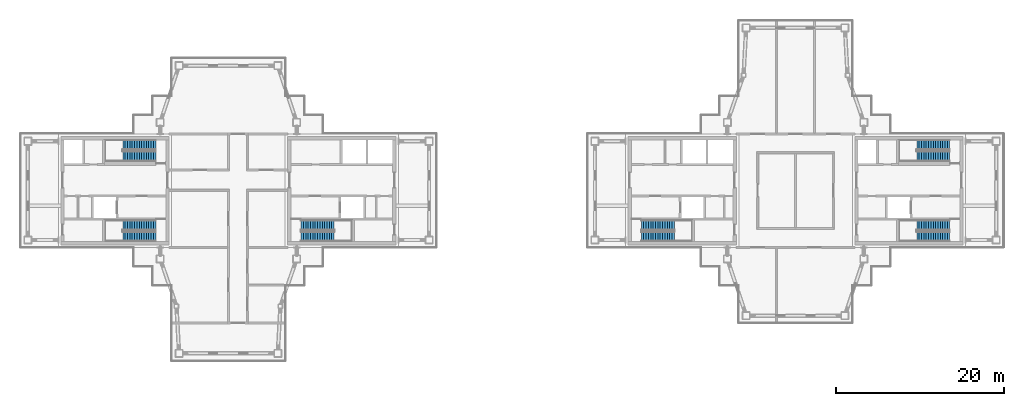
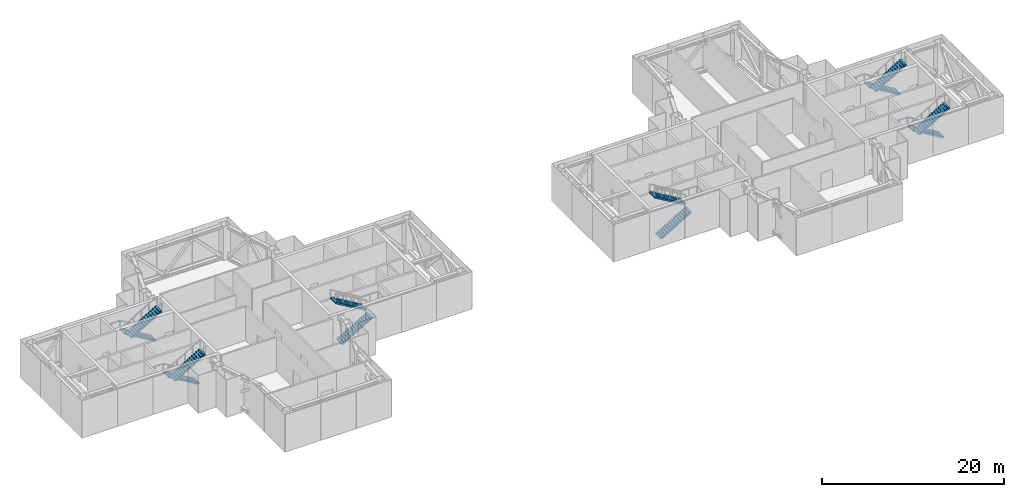
# One storey, part 10 of 18: 12 stair flights, 6 elements without a shape of their own.
"""IFC4 building model written with IfcOpenShell, lengths in metres."""

from ifc_helpers import new_model, si_unit, direction, frame, origin, place, context, subcontext, project, spatial, polyline, outline, extrude, material, type_object, element, aggregate, save


model = new_model("IFC4")

# Units and contexts
model_context = context("Model", 3, precision=1e-05, world=origin(), true_north=direction((0.0, 1.0)))
body_context = subcontext(model_context, "Body", "Model", "MODEL_VIEW")
ifc_project = project(units=[si_unit("LENGTHUNIT", "METRE"), si_unit("AREAUNIT", "SQUARE_METRE"), si_unit("VOLUMEUNIT", "CUBIC_METRE"), si_unit("PLANEANGLEUNIT", "RADIAN"), si_unit("MASSUNIT", "GRAM", prefix="KILO")], contexts=[model_context])

# Site, building, storey
site_placement = place(None, origin())
site = spatial("IfcSite", under=ifc_project, at=site_placement, CompositionType="ELEMENT")
building_placement = place(site_placement, origin())
building = spatial("IfcBuilding", under=site, at=building_placement, Name="Shamsa Quay Exchange Towers", CompositionType="ELEMENT")
storey_placement = place(building_placement, frame((0.0, 0.0, 273.300048828125)))
storey = spatial("IfcBuildingStorey", under=building, at=storey_placement, Name="L66", CompositionType="ELEMENT", Elevation=273.300048828125)

# Stair, stair flights
ifc_material = material(Name="Concrete C40/50", Category="concrete")
stair_type = type_object("IfcStairType", Name="EXIT STAIR 30 RISERS 167 MM", PredefinedType="HALF_TURN_STAIR", material=ifc_material)
stair_1_placement = place(storey_placement, origin())
stair_1 = element("IfcStair", 1, at=stair_1_placement, inside=storey, type_object=stair_type, Name="L66 Exit stair ST1", PredefinedType="HALF_TURN_STAIR")
stair_flight_type = type_object("IfcStairFlightType", Name="EXIT STAIR FLIGHT 15 RISERS 167 MM", PredefinedType="STRAIGHT", material=ifc_material)
stair_flight_1_placement = place(storey_placement, frame((-25.10009765625, -5.449951171875, 0.0)))
stair_flight_1 = element("IfcStairFlight", 2, at=stair_flight_1_placement, type_object=stair_flight_type, Name="ST1 flight 1", NumberOfRisers=15, NumberOfTreads=14, PredefinedType="STRAIGHT", RiserHeight=0.166666667, TreadLength=0.28, context=body_context, shape_type="SweptSolid", body=[
    extrude(outline(polyline([(0.0, 0.0), (0.0, 0.166748046875), (0.280029296875, 0.166748046875), (0.280029296875, 0.333251953125), (0.56005859375, 0.333251953125), (0.56005859375, 0.5), (0.840087890625, 0.5), (0.840087890625, 0.666748046875), (1.1201171875, 0.666748046875), (1.1201171875, 0.833251953125), (1.39990234375, 0.833251953125), (1.39990234375, 1.0), (1.679931640625, 1.0), (1.679931640625, 1.166748046875), (1.9599609375, 1.166748046875), (1.9599609375, 1.333251953125), (2.239990234375, 1.333251953125), (2.239990234375, 1.5), (2.52001953125, 1.5), (2.52001953125, 1.666748046875), (2.800048828125, 1.666748046875), (2.800048828125, 1.833251953125), (3.080078125, 1.833251953125), (3.080078125, 2.0), (3.360107421875, 2.0), (3.360107421875, 2.166748046875), (3.639892578125, 2.166748046875), (3.639892578125, 2.333251953125), (3.919921875, 2.333251953125), (3.919921875, 2.5), (3.919921875, 2.170654296875), (0.2734375, 0.0), (0.0, 0.0)])), frame((0.0, 0.60009765625, 0.0), z_axis=(0.0, -1.0, 0.0), x_axis=(1.0, 0.0, 0.0)), (0.0, 0.0, 1.0), 1.199951171875),
])
stair_flight_2_placement = place(storey_placement, frame((-21.179931640625, -4.10009765625, 2.5), z_axis=(0.0, 0.0, 1.0), x_axis=(-1.0, 0.0, 0.0)))
stair_flight_2 = element("IfcStairFlight", 3, at=stair_flight_2_placement, type_object=stair_flight_type, Name="ST1 flight 2", NumberOfRisers=15, NumberOfTreads=14, PredefinedType="STRAIGHT", RiserHeight=0.166666667, TreadLength=0.28, context=body_context, shape_type="SweptSolid", body=[
    extrude(outline(polyline([(0.0, 0.0), (0.0, 0.166748046875), (0.280029296875, 0.166748046875), (0.280029296875, 0.333251953125), (0.56005859375, 0.333251953125), (0.56005859375, 0.5), (0.840087890625, 0.5), (0.840087890625, 0.666748046875), (1.1201171875, 0.666748046875), (1.1201171875, 0.833251953125), (1.39990234375, 0.833251953125), (1.39990234375, 1.0), (1.679931640625, 1.0), (1.679931640625, 1.166748046875), (1.9599609375, 1.166748046875), (1.9599609375, 1.333251953125), (2.239990234375, 1.333251953125), (2.239990234375, 1.5), (2.52001953125, 1.5), (2.52001953125, 1.666748046875), (2.800048828125, 1.666748046875), (2.800048828125, 1.833251953125), (3.080078125, 1.833251953125), (3.080078125, 2.0), (3.360107421875, 2.0), (3.360107421875, 2.166748046875), (3.639892578125, 2.166748046875), (3.639892578125, 2.333251953125), (3.919921875, 2.333251953125), (3.919921875, 2.5), (3.919921875, 2.170654296875), (0.2734375, 0.0), (0.0, 0.0)])), frame((0.0, 0.60009765625, 0.0), z_axis=(0.0, -1.0, 0.0), x_axis=(1.0, 0.0, 0.0)), (0.0, 0.0, 1.0), 1.199951171875),
])
aggregate(stair_1, [stair_flight_1, stair_flight_2])

stair_2_placement = place(storey_placement, origin())
stair_2 = element("IfcStair", 4, at=stair_2_placement, inside=storey, type_object=stair_type, Name="L66 Exit stair ST2", PredefinedType="HALF_TURN_STAIR")
stair_flight_3_placement = place(storey_placement, frame((-42.39990234375, -4.10009765625, 0.0), z_axis=(0.0, 0.0, 1.0), x_axis=(-1.0, 0.0, 0.0)))
stair_flight_3 = element("IfcStairFlight", 5, at=stair_flight_3_placement, type_object=stair_flight_type, Name="ST2 flight 1", NumberOfRisers=15, NumberOfTreads=14, PredefinedType="STRAIGHT", RiserHeight=0.166666667, TreadLength=0.28, context=body_context, shape_type="SweptSolid", body=[
    extrude(outline(polyline([(0.0, 0.0), (0.0, 0.166748046875), (0.280029296875, 0.166748046875), (0.280029296875, 0.333251953125), (0.56005859375, 0.333251953125), (0.56005859375, 0.5), (0.840087890625, 0.5), (0.840087890625, 0.666748046875), (1.1201171875, 0.666748046875), (1.1201171875, 0.833251953125), (1.39990234375, 0.833251953125), (1.39990234375, 1.0), (1.679931640625, 1.0), (1.679931640625, 1.166748046875), (1.9599609375, 1.166748046875), (1.9599609375, 1.333251953125), (2.239990234375, 1.333251953125), (2.239990234375, 1.5), (2.52001953125, 1.5), (2.52001953125, 1.666748046875), (2.800048828125, 1.666748046875), (2.800048828125, 1.833251953125), (3.080078125, 1.833251953125), (3.080078125, 2.0), (3.360107421875, 2.0), (3.360107421875, 2.166748046875), (3.639892578125, 2.166748046875), (3.639892578125, 2.333251953125), (3.919921875, 2.333251953125), (3.919921875, 2.5), (3.919921875, 2.170654296875), (0.2734375, 0.0), (0.0, 0.0)])), frame((0.0, 0.60009765625, 0.0), z_axis=(0.0, -1.0, 0.0), x_axis=(1.0, 0.0, 0.0)), (0.0, 0.0, 1.0), 1.199951171875),
])
stair_flight_4_placement = place(storey_placement, frame((-46.320068359375, -5.449951171875, 2.5)))
stair_flight_4 = element("IfcStairFlight", 6, at=stair_flight_4_placement, type_object=stair_flight_type, Name="ST2 flight 2", NumberOfRisers=15, NumberOfTreads=14, PredefinedType="STRAIGHT", RiserHeight=0.166666667, TreadLength=0.28, context=body_context, shape_type="SweptSolid", body=[
    extrude(outline(polyline([(0.0, 0.0), (0.0, 0.166748046875), (0.280029296875, 0.166748046875), (0.280029296875, 0.333251953125), (0.56005859375, 0.333251953125), (0.56005859375, 0.5), (0.840087890625, 0.5), (0.840087890625, 0.666748046875), (1.1201171875, 0.666748046875), (1.1201171875, 0.833251953125), (1.39990234375, 0.833251953125), (1.39990234375, 1.0), (1.679931640625, 1.0), (1.679931640625, 1.166748046875), (1.9599609375, 1.166748046875), (1.9599609375, 1.333251953125), (2.239990234375, 1.333251953125), (2.239990234375, 1.5), (2.52001953125, 1.5), (2.52001953125, 1.666748046875), (2.800048828125, 1.666748046875), (2.800048828125, 1.833251953125), (3.080078125, 1.833251953125), (3.080078125, 2.0), (3.360107421875, 2.0), (3.360107421875, 2.166748046875), (3.639892578125, 2.166748046875), (3.639892578125, 2.333251953125), (3.919921875, 2.333251953125), (3.919921875, 2.5), (3.919921875, 2.170654296875), (0.2734375, 0.0), (0.0, 0.0)])), frame((0.0, 0.60009765625, 0.0), z_axis=(0.0, -1.0, 0.0), x_axis=(1.0, 0.0, 0.0)), (0.0, 0.0, 1.0), 1.199951171875),
])
aggregate(stair_2, [stair_flight_3, stair_flight_4])

stair_3_placement = place(storey_placement, origin())
stair_3 = element("IfcStair", 7, at=stair_3_placement, inside=storey, type_object=stair_type, Name="L66 Exit stair ST3", PredefinedType="HALF_TURN_STAIR")
stair_flight_5_placement = place(storey_placement, frame((-42.39990234375, 5.449951171875, 0.0), z_axis=(0.0, 0.0, 1.0), x_axis=(-1.0, 0.0, 0.0)))
stair_flight_5 = element("IfcStairFlight", 8, at=stair_flight_5_placement, type_object=stair_flight_type, Name="ST3 flight 1", NumberOfRisers=15, NumberOfTreads=14, PredefinedType="STRAIGHT", RiserHeight=0.166666667, TreadLength=0.28, context=body_context, shape_type="SweptSolid", body=[
    extrude(outline(polyline([(0.0, 0.0), (0.0, 0.166748046875), (0.280029296875, 0.166748046875), (0.280029296875, 0.333251953125), (0.56005859375, 0.333251953125), (0.56005859375, 0.5), (0.840087890625, 0.5), (0.840087890625, 0.666748046875), (1.1201171875, 0.666748046875), (1.1201171875, 0.833251953125), (1.39990234375, 0.833251953125), (1.39990234375, 1.0), (1.679931640625, 1.0), (1.679931640625, 1.166748046875), (1.9599609375, 1.166748046875), (1.9599609375, 1.333251953125), (2.239990234375, 1.333251953125), (2.239990234375, 1.5), (2.52001953125, 1.5), (2.52001953125, 1.666748046875), (2.800048828125, 1.666748046875), (2.800048828125, 1.833251953125), (3.080078125, 1.833251953125), (3.080078125, 2.0), (3.360107421875, 2.0), (3.360107421875, 2.166748046875), (3.639892578125, 2.166748046875), (3.639892578125, 2.333251953125), (3.919921875, 2.333251953125), (3.919921875, 2.5), (3.919921875, 2.170654296875), (0.2734375, 0.0), (0.0, 0.0)])), frame((0.0, 0.60009765625, 0.0), z_axis=(0.0, -1.0, 0.0), x_axis=(1.0, 0.0, 0.0)), (0.0, 0.0, 1.0), 1.199951171875),
])
stair_flight_6_placement = place(storey_placement, frame((-46.320068359375, 4.10009765625, 2.5)))
stair_flight_6 = element("IfcStairFlight", 9, at=stair_flight_6_placement, type_object=stair_flight_type, Name="ST3 flight 2", NumberOfRisers=15, NumberOfTreads=14, PredefinedType="STRAIGHT", RiserHeight=0.166666667, TreadLength=0.28, context=body_context, shape_type="SweptSolid", body=[
    extrude(outline(polyline([(0.0, 0.0), (0.0, 0.166748046875), (0.280029296875, 0.166748046875), (0.280029296875, 0.333251953125), (0.56005859375, 0.333251953125), (0.56005859375, 0.5), (0.840087890625, 0.5), (0.840087890625, 0.666748046875), (1.1201171875, 0.666748046875), (1.1201171875, 0.833251953125), (1.39990234375, 0.833251953125), (1.39990234375, 1.0), (1.679931640625, 1.0), (1.679931640625, 1.166748046875), (1.9599609375, 1.166748046875), (1.9599609375, 1.333251953125), (2.239990234375, 1.333251953125), (2.239990234375, 1.5), (2.52001953125, 1.5), (2.52001953125, 1.666748046875), (2.800048828125, 1.666748046875), (2.800048828125, 1.833251953125), (3.080078125, 1.833251953125), (3.080078125, 2.0), (3.360107421875, 2.0), (3.360107421875, 2.166748046875), (3.639892578125, 2.166748046875), (3.639892578125, 2.333251953125), (3.919921875, 2.333251953125), (3.919921875, 2.5), (3.919921875, 2.170654296875), (0.2734375, 0.0), (0.0, 0.0)])), frame((0.0, 0.60009765625, 0.0), z_axis=(0.0, -1.0, 0.0), x_axis=(1.0, 0.0, 0.0)), (0.0, 0.0, 1.0), 1.199951171875),
])
aggregate(stair_3, [stair_flight_5, stair_flight_6])

stair_4_placement = place(storey_placement, origin())
stair_4 = element("IfcStair", 10, at=stair_4_placement, inside=storey, type_object=stair_type, Name="L66 Exit stair ST4", PredefinedType="HALF_TURN_STAIR")
stair_flight_7_placement = place(storey_placement, frame((15.39990234375, -5.449951171875, 0.0)))
stair_flight_7 = element("IfcStairFlight", 11, at=stair_flight_7_placement, type_object=stair_flight_type, Name="ST4 flight 1", NumberOfRisers=15, NumberOfTreads=14, PredefinedType="STRAIGHT", RiserHeight=0.166666667, TreadLength=0.28, context=body_context, shape_type="SweptSolid", body=[
    extrude(outline(polyline([(0.0, 0.0), (0.0, 0.166748046875), (0.280029296875, 0.166748046875), (0.280029296875, 0.333251953125), (0.56005859375, 0.333251953125), (0.56005859375, 0.5), (0.840087890625, 0.5), (0.840087890625, 0.666748046875), (1.1201171875, 0.666748046875), (1.1201171875, 0.833251953125), (1.39990234375, 0.833251953125), (1.39990234375, 1.0), (1.679931640625, 1.0), (1.679931640625, 1.166748046875), (1.9599609375, 1.166748046875), (1.9599609375, 1.333251953125), (2.239990234375, 1.333251953125), (2.239990234375, 1.5), (2.52001953125, 1.5), (2.52001953125, 1.666748046875), (2.800048828125, 1.666748046875), (2.800048828125, 1.833251953125), (3.080078125, 1.833251953125), (3.080078125, 2.0), (3.360107421875, 2.0), (3.360107421875, 2.166748046875), (3.639892578125, 2.166748046875), (3.639892578125, 2.333251953125), (3.919921875, 2.333251953125), (3.919921875, 2.5), (3.919921875, 2.170654296875), (0.2734375, 0.0), (0.0, 0.0)])), frame((0.0, 0.60009765625, 0.0), z_axis=(0.0, -1.0, 0.0), x_axis=(1.0, 0.0, 0.0)), (0.0, 0.0, 1.0), 1.199951171875),
])
stair_flight_8_placement = place(storey_placement, frame((19.320068359375, -4.10009765625, 2.5), z_axis=(0.0, 0.0, 1.0), x_axis=(-1.0, 0.0, 0.0)))
stair_flight_8 = element("IfcStairFlight", 12, at=stair_flight_8_placement, type_object=stair_flight_type, Name="ST4 flight 2", NumberOfRisers=15, NumberOfTreads=14, PredefinedType="STRAIGHT", RiserHeight=0.166666667, TreadLength=0.28, context=body_context, shape_type="SweptSolid", body=[
    extrude(outline(polyline([(0.0, 0.0), (0.0, 0.166748046875), (0.280029296875, 0.166748046875), (0.280029296875, 0.333251953125), (0.56005859375, 0.333251953125), (0.56005859375, 0.5), (0.840087890625, 0.5), (0.840087890625, 0.666748046875), (1.1201171875, 0.666748046875), (1.1201171875, 0.833251953125), (1.39990234375, 0.833251953125), (1.39990234375, 1.0), (1.679931640625, 1.0), (1.679931640625, 1.166748046875), (1.9599609375, 1.166748046875), (1.9599609375, 1.333251953125), (2.239990234375, 1.333251953125), (2.239990234375, 1.5), (2.52001953125, 1.5), (2.52001953125, 1.666748046875), (2.800048828125, 1.666748046875), (2.800048828125, 1.833251953125), (3.080078125, 1.833251953125), (3.080078125, 2.0), (3.360107421875, 2.0), (3.360107421875, 2.166748046875), (3.639892578125, 2.166748046875), (3.639892578125, 2.333251953125), (3.919921875, 2.333251953125), (3.919921875, 2.5), (3.919921875, 2.170654296875), (0.2734375, 0.0), (0.0, 0.0)])), frame((0.0, 0.60009765625, 0.0), z_axis=(0.0, -1.0, 0.0), x_axis=(1.0, 0.0, 0.0)), (0.0, 0.0, 1.0), 1.199951171875),
])
aggregate(stair_4, [stair_flight_7, stair_flight_8])

stair_5_placement = place(storey_placement, origin())
stair_5 = element("IfcStair", 13, at=stair_5_placement, inside=storey, type_object=stair_type, Name="L66 Exit stair ST5", PredefinedType="HALF_TURN_STAIR")
stair_flight_9_placement = place(storey_placement, frame((52.10009765625, -4.10009765625, 0.0), z_axis=(0.0, 0.0, 1.0), x_axis=(-1.0, 0.0, 0.0)))
stair_flight_9 = element("IfcStairFlight", 14, at=stair_flight_9_placement, type_object=stair_flight_type, Name="ST5 flight 1", NumberOfRisers=15, NumberOfTreads=14, PredefinedType="STRAIGHT", RiserHeight=0.166666667, TreadLength=0.28, context=body_context, shape_type="SweptSolid", body=[
    extrude(outline(polyline([(0.0, 0.0), (0.0, 0.166748046875), (0.280029296875, 0.166748046875), (0.280029296875, 0.333251953125), (0.56005859375, 0.333251953125), (0.56005859375, 0.5), (0.840087890625, 0.5), (0.840087890625, 0.666748046875), (1.1201171875, 0.666748046875), (1.1201171875, 0.833251953125), (1.39990234375, 0.833251953125), (1.39990234375, 1.0), (1.679931640625, 1.0), (1.679931640625, 1.166748046875), (1.9599609375, 1.166748046875), (1.9599609375, 1.333251953125), (2.239990234375, 1.333251953125), (2.239990234375, 1.5), (2.52001953125, 1.5), (2.52001953125, 1.666748046875), (2.800048828125, 1.666748046875), (2.800048828125, 1.833251953125), (3.080078125, 1.833251953125), (3.080078125, 2.0), (3.360107421875, 2.0), (3.360107421875, 2.166748046875), (3.639892578125, 2.166748046875), (3.639892578125, 2.333251953125), (3.919921875, 2.333251953125), (3.919921875, 2.5), (3.919921875, 2.170654296875), (0.2734375, 0.0), (0.0, 0.0)])), frame((0.0, 0.60009765625, 0.0), z_axis=(0.0, -1.0, 0.0), x_axis=(1.0, 0.0, 0.0)), (0.0, 0.0, 1.0), 1.199951171875),
])
stair_flight_10_placement = place(storey_placement, frame((48.179931640625, -5.449951171875, 2.5)))
stair_flight_10 = element("IfcStairFlight", 15, at=stair_flight_10_placement, type_object=stair_flight_type, Name="ST5 flight 2", NumberOfRisers=15, NumberOfTreads=14, PredefinedType="STRAIGHT", RiserHeight=0.166666667, TreadLength=0.28, context=body_context, shape_type="SweptSolid", body=[
    extrude(outline(polyline([(0.0, 0.0), (0.0, 0.166748046875), (0.280029296875, 0.166748046875), (0.280029296875, 0.333251953125), (0.56005859375, 0.333251953125), (0.56005859375, 0.5), (0.840087890625, 0.5), (0.840087890625, 0.666748046875), (1.1201171875, 0.666748046875), (1.1201171875, 0.833251953125), (1.39990234375, 0.833251953125), (1.39990234375, 1.0), (1.679931640625, 1.0), (1.679931640625, 1.166748046875), (1.9599609375, 1.166748046875), (1.9599609375, 1.333251953125), (2.239990234375, 1.333251953125), (2.239990234375, 1.5), (2.52001953125, 1.5), (2.52001953125, 1.666748046875), (2.800048828125, 1.666748046875), (2.800048828125, 1.833251953125), (3.080078125, 1.833251953125), (3.080078125, 2.0), (3.360107421875, 2.0), (3.360107421875, 2.166748046875), (3.639892578125, 2.166748046875), (3.639892578125, 2.333251953125), (3.919921875, 2.333251953125), (3.919921875, 2.5), (3.919921875, 2.170654296875), (0.2734375, 0.0), (0.0, 0.0)])), frame((0.0, 0.60009765625, 0.0), z_axis=(0.0, -1.0, 0.0), x_axis=(1.0, 0.0, 0.0)), (0.0, 0.0, 1.0), 1.199951171875),
])
aggregate(stair_5, [stair_flight_9, stair_flight_10])

stair_6_placement = place(storey_placement, origin())
stair_6 = element("IfcStair", 16, at=stair_6_placement, inside=storey, type_object=stair_type, Name="L66 Exit stair ST6", PredefinedType="HALF_TURN_STAIR")
stair_flight_11_placement = place(storey_placement, frame((52.10009765625, 5.449951171875, 0.0), z_axis=(0.0, 0.0, 1.0), x_axis=(-1.0, 0.0, 0.0)))
stair_flight_11 = element("IfcStairFlight", 17, at=stair_flight_11_placement, type_object=stair_flight_type, Name="ST6 flight 1", NumberOfRisers=15, NumberOfTreads=14, PredefinedType="STRAIGHT", RiserHeight=0.166666667, TreadLength=0.28, context=body_context, shape_type="SweptSolid", body=[
    extrude(outline(polyline([(0.0, 0.0), (0.0, 0.166748046875), (0.280029296875, 0.166748046875), (0.280029296875, 0.333251953125), (0.56005859375, 0.333251953125), (0.56005859375, 0.5), (0.840087890625, 0.5), (0.840087890625, 0.666748046875), (1.1201171875, 0.666748046875), (1.1201171875, 0.833251953125), (1.39990234375, 0.833251953125), (1.39990234375, 1.0), (1.679931640625, 1.0), (1.679931640625, 1.166748046875), (1.9599609375, 1.166748046875), (1.9599609375, 1.333251953125), (2.239990234375, 1.333251953125), (2.239990234375, 1.5), (2.52001953125, 1.5), (2.52001953125, 1.666748046875), (2.800048828125, 1.666748046875), (2.800048828125, 1.833251953125), (3.080078125, 1.833251953125), (3.080078125, 2.0), (3.360107421875, 2.0), (3.360107421875, 2.166748046875), (3.639892578125, 2.166748046875), (3.639892578125, 2.333251953125), (3.919921875, 2.333251953125), (3.919921875, 2.5), (3.919921875, 2.170654296875), (0.2734375, 0.0), (0.0, 0.0)])), frame((0.0, 0.60009765625, 0.0), z_axis=(0.0, -1.0, 0.0), x_axis=(1.0, 0.0, 0.0)), (0.0, 0.0, 1.0), 1.199951171875),
])
stair_flight_12_placement = place(storey_placement, frame((48.179931640625, 4.10009765625, 2.5)))
stair_flight_12 = element("IfcStairFlight", 18, at=stair_flight_12_placement, type_object=stair_flight_type, Name="ST6 flight 2", NumberOfRisers=15, NumberOfTreads=14, PredefinedType="STRAIGHT", RiserHeight=0.166666667, TreadLength=0.28, context=body_context, shape_type="SweptSolid", body=[
    extrude(outline(polyline([(0.0, 0.0), (0.0, 0.166748046875), (0.280029296875, 0.166748046875), (0.280029296875, 0.333251953125), (0.56005859375, 0.333251953125), (0.56005859375, 0.5), (0.840087890625, 0.5), (0.840087890625, 0.666748046875), (1.1201171875, 0.666748046875), (1.1201171875, 0.833251953125), (1.39990234375, 0.833251953125), (1.39990234375, 1.0), (1.679931640625, 1.0), (1.679931640625, 1.166748046875), (1.9599609375, 1.166748046875), (1.9599609375, 1.333251953125), (2.239990234375, 1.333251953125), (2.239990234375, 1.5), (2.52001953125, 1.5), (2.52001953125, 1.666748046875), (2.800048828125, 1.666748046875), (2.800048828125, 1.833251953125), (3.080078125, 1.833251953125), (3.080078125, 2.0), (3.360107421875, 2.0), (3.360107421875, 2.166748046875), (3.639892578125, 2.166748046875), (3.639892578125, 2.333251953125), (3.919921875, 2.333251953125), (3.919921875, 2.5), (3.919921875, 2.170654296875), (0.2734375, 0.0), (0.0, 0.0)])), frame((0.0, 0.60009765625, 0.0), z_axis=(0.0, -1.0, 0.0), x_axis=(1.0, 0.0, 0.0)), (0.0, 0.0, 1.0), 1.199951171875),
])
aggregate(stair_6, [stair_flight_11, stair_flight_12])

save(model, "model.ifc")
